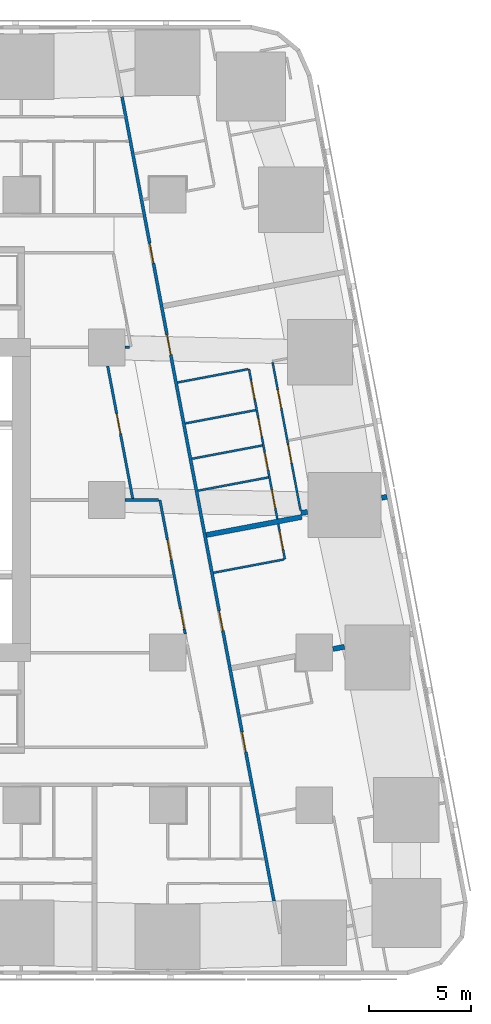
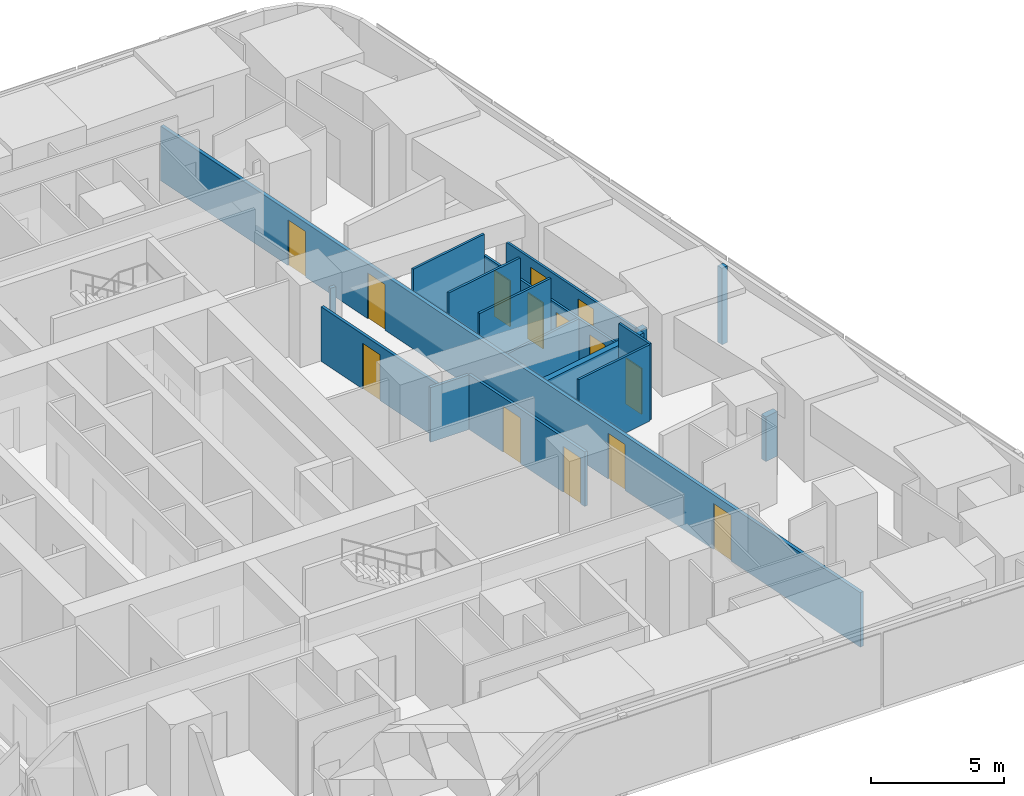
# One storey, part 10 of 18: 17 walls, 14 doors, 14 openings.
"""IFC4 building model written with IfcOpenShell, lengths in metres."""

from ifc_helpers import new_model, si_unit, direction, frame, frame_2d, origin, place, context, subcontext, project, spatial, rectangle, extrude, material, layer, layer_set, type_object, element, fill, save


model = new_model("IFC4")

# Units and contexts
model_context = context("Model", 3, precision=1e-05, world=origin(), true_north=direction((0.0, 1.0)))
body_context = subcontext(model_context, "Body", "Model", "MODEL_VIEW")
ifc_project = project(units=[si_unit("LENGTHUNIT", "METRE"), si_unit("AREAUNIT", "SQUARE_METRE"), si_unit("VOLUMEUNIT", "CUBIC_METRE"), si_unit("PLANEANGLEUNIT", "RADIAN"), si_unit("MASSUNIT", "GRAM", prefix="KILO")], contexts=[model_context])

# Site, building, storey
site_placement = place(None, origin())
site = spatial("IfcSite", under=ifc_project, at=site_placement, CompositionType="ELEMENT")
building_placement = place(site_placement, origin())
building = spatial("IfcBuilding", under=site, at=building_placement, Name="Sheger Commons Tower", CompositionType="ELEMENT")
storey_placement = place(building_placement, frame((0.0, 0.0, 20.0)))
storey = spatial("IfcBuildingStorey", under=building, at=storey_placement, Name="L04", CompositionType="ELEMENT", Elevation=20.0)

# Wall, openings, doors
ifc_material_1 = material(Name="Hollow concrete block masonry, skimmed both sides", Category="masonry")
ifc_layer_1 = layer(ifc_material_1, 0.14990234375)
ifc_layer_set_1 = layer_set([ifc_layer_1], Name="CORRIDOR WALL 150")
wall_type_1 = type_object("IfcWallType", Name="CORRIDOR WALL 150", PredefinedType="SOLIDWALL", material=ifc_layer_set_1)
wall_1_placement = place(storey_placement, frame((33.7548828125, 42.324951171875, 0.0), z_axis=(0.0, 0.0, 1.0), x_axis=(0.185611461091, -0.982623216453, 0.0)))
wall_1 = element("IfcWall", 1, at=wall_1_placement, inside=storey, type_object=wall_type_1, Name="Corridor wall L04", PredefinedType="SOLIDWALL", context=body_context, shape_type="SweptSolid", body=[
    extrude(rectangle(XDim=40.2412109375, YDim=0.14990234375, at=frame_2d((20.12060546875, 0.0))), origin(), (0.0, 0.0, 1.0), 2.5),
])
opening_1_placement = place(wall_1_placement, frame((7.324951171875, 0.0, 0.0)))
opening_1 = element("IfcOpeningElement", 2, at=opening_1_placement, cuts=wall_1, Name="Opening D1", PredefinedType="OPENING", context=body_context, shape_type="SweptSolid", body=[
    extrude(rectangle(XDim=1.0, YDim=2.10009765625, at=frame_2d((0.5, 1.050048828125))), frame((0.0, 0.0849609375, 0.0), z_axis=(0.0, -1.0, 0.0), x_axis=(1.0, 0.0, 0.0)), (0.0, 0.0, 1.0), 0.169921875),
])
opening_2_placement = place(wall_1_placement, frame((11.902099609375, 0.0, 0.0)))
opening_2 = element("IfcOpeningElement", 3, at=opening_2_placement, cuts=wall_1, Name="Opening D1", PredefinedType="OPENING", context=body_context, shape_type="SweptSolid", body=[
    extrude(rectangle(XDim=1.0, YDim=2.10009765625, at=frame_2d((0.5, 1.050048828125))), frame((0.0, 0.0849609375, 0.0), z_axis=(0.0, -1.0, 0.0), x_axis=(1.0, 0.0, 0.0)), (0.0, 0.0, 1.0), 0.169921875),
])
opening_3_placement = place(wall_1_placement, frame((25.718017578125, 0.0, 0.0)))
opening_3 = element("IfcOpeningElement", 4, at=opening_3_placement, cuts=wall_1, Name="Opening D1", PredefinedType="OPENING", context=body_context, shape_type="SweptSolid", body=[
    extrude(rectangle(XDim=1.0, YDim=2.10009765625, at=frame_2d((0.5, 1.050048828125))), frame((0.0, 0.0849609375, 0.0), z_axis=(0.0, -1.0, 0.0), x_axis=(1.0, 0.0, 0.0)), (0.0, 0.0, 1.0), 0.169921875),
])
opening_4_placement = place(wall_1_placement, frame((31.7880859375, 0.0, 0.0)))
opening_4 = element("IfcOpeningElement", 5, at=opening_4_placement, cuts=wall_1, Name="Opening D1", PredefinedType="OPENING", context=body_context, shape_type="SweptSolid", body=[
    extrude(rectangle(XDim=1.0, YDim=2.10009765625, at=frame_2d((0.5, 1.050048828125))), frame((0.0, 0.0849609375, 0.0), z_axis=(0.0, -1.0, 0.0), x_axis=(1.0, 0.0, 0.0)), (0.0, 0.0, 1.0), 0.169921875),
])
ifc_material_2 = material(Name="Steel door set, fire rated", Category="steel")
door_type_1 = type_object("IfcDoorType", Name="FLAT ENTRANCE DOOR 1000x2100", OperationType="NOTDEFINED", PredefinedType="DOOR", material=ifc_material_2)
door_1_placement = place(opening_1_placement, origin())
door_1 = element("IfcDoor", 6, at=door_1_placement, inside=storey, type_object=door_type_1, Name="Flat entrance door", OperationType="SINGLE_SWING_RIGHT", OverallHeight=2.10009765625, OverallWidth=1.0, PredefinedType="DOOR", context=body_context, shape_type="SweptSolid", body=[
    extrude(rectangle(XDim=1.0, YDim=2.10009765625, at=frame_2d((0.5, 1.050048828125))), frame((0.0, 0.02490234375, 0.0), z_axis=(0.0, -1.0, 0.0), x_axis=(1.0, 0.0, 0.0)), (0.0, 0.0, 1.0), 0.050048828125),
])
fill(opening_1, door_1)
door_2_placement = place(opening_2_placement, origin())
door_2 = element("IfcDoor", 7, at=door_2_placement, inside=storey, type_object=door_type_1, Name="Flat entrance door", OperationType="SINGLE_SWING_LEFT", OverallHeight=2.10009765625, OverallWidth=1.0, PredefinedType="DOOR", context=body_context, shape_type="SweptSolid", body=[
    extrude(rectangle(XDim=1.0, YDim=2.10009765625, at=frame_2d((0.5, 1.050048828125))), frame((0.0, 0.02490234375, 0.0), z_axis=(0.0, -1.0, 0.0), x_axis=(1.0, 0.0, 0.0)), (0.0, 0.0, 1.0), 0.050048828125),
])
fill(opening_2, door_2)
door_3_placement = place(opening_3_placement, origin())
door_3 = element("IfcDoor", 8, at=door_3_placement, inside=storey, type_object=door_type_1, Name="Flat entrance door", OperationType="SINGLE_SWING_RIGHT", OverallHeight=2.10009765625, OverallWidth=1.0, PredefinedType="DOOR", context=body_context, shape_type="SweptSolid", body=[
    extrude(rectangle(XDim=1.0, YDim=2.10009765625, at=frame_2d((0.5, 1.050048828125))), frame((0.0, 0.02490234375, 0.0), z_axis=(0.0, -1.0, 0.0), x_axis=(1.0, 0.0, 0.0)), (0.0, 0.0, 1.0), 0.050048828125),
])
fill(opening_3, door_3)
door_4_placement = place(opening_4_placement, origin())
door_4 = element("IfcDoor", 9, at=door_4_placement, inside=storey, type_object=door_type_1, Name="Flat entrance door", OperationType="SINGLE_SWING_RIGHT", OverallHeight=2.10009765625, OverallWidth=1.0, PredefinedType="DOOR", context=body_context, shape_type="SweptSolid", body=[
    extrude(rectangle(XDim=1.0, YDim=2.10009765625, at=frame_2d((0.5, 1.050048828125))), frame((0.0, 0.02490234375, 0.0), z_axis=(0.0, -1.0, 0.0), x_axis=(1.0, 0.0, 0.0)), (0.0, 0.0, 1.0), 0.050048828125),
])
fill(opening_4, door_4)

# Walls
ifc_material_3 = material(Name="Dense concrete block masonry, plastered both sides (separating wall between flats)", Category="masonry")
ifc_layer_2 = layer(ifc_material_3, 0.25)
ifc_layer_set_2 = layer_set([ifc_layer_2], Name="DEMISING WALL 250")
wall_type_2 = type_object("IfcWallType", Name="DEMISING WALL 250", PredefinedType="SOLIDWALL", material=ifc_layer_set_2)
wall_2_placement = place(storey_placement, frame((46.781982421875, 22.656982421875, 0.0), z_axis=(0.0, 0.0, 1.0), x_axis=(-0.982104607121, -0.188336243648, 0.0)))
element("IfcWall", 10, at=wall_2_placement, inside=storey, type_object=wall_type_2, Name="Demising wall L04", PredefinedType="SOLIDWALL", context=body_context, shape_type="SweptSolid", body=[
    extrude(rectangle(XDim=0.265625, YDim=0.25, at=frame_2d((0.1328125, 0.0))), origin(), (0.0, 0.0, 1.0), 3.5),
])
wall_3_placement = place(storey_placement, frame((42.873046875, 21.91796875, 0.0), z_axis=(0.0, 0.0, 1.0), x_axis=(-0.982431406936, -0.186624035603, 0.0)))
element("IfcWall", 11, at=wall_3_placement, inside=storey, type_object=wall_type_2, Name="Demising wall L04", PredefinedType="SOLIDWALL", context=body_context, shape_type="SweptSolid", body=[
    extrude(rectangle(XDim=0.32177734375, YDim=0.25, at=frame_2d((0.160888671875, 0.0))), origin(), (0.0, 0.0, 1.0), 2.5),
])
wall_4_placement = place(storey_placement, frame((42.593017578125, 21.6650390625, 0.0), z_axis=(0.0, 0.0, 1.0), x_axis=(-0.982635807605, -0.185544791394, 0.0)))
element("IfcWall", 12, at=wall_4_placement, inside=storey, type_object=wall_type_2, Name="Demising wall L04", PredefinedType="SOLIDWALL", context=body_context, shape_type="SweptSolid", body=[
    extrude(rectangle(XDim=4.775146484375, YDim=0.25, at=frame_2d((2.3876953125, 0.0))), origin(), (0.0, 0.0, 1.0), 2.5),
])
wall_5_placement = place(storey_placement, frame((44.68994140625, 15.281005859375, 0.0), z_axis=(0.0, 0.0, 1.0), x_axis=(-0.982612073204, -0.185670443513, 0.0)))
element("IfcWall", 13, at=wall_5_placement, inside=storey, type_object=wall_type_2, Name="Demising wall L04", PredefinedType="SOLIDWALL", context=body_context, shape_type="SweptSolid", body=[
    extrude(rectangle(XDim=0.575927734375, YDim=0.25, at=frame_2d((0.2880859375, 0.0))), origin(), (0.0, 0.0, 1.0), 2.050048828125),
])

# Wall, openings, doors
ifc_material_4 = material(Name="Gypsum board on steel studs", Category="steel")
ifc_layer_3 = layer(ifc_material_4, 0.10009765625)
ifc_layer_set_3 = layer_set([ifc_layer_3], Name="PARTITION 100")
wall_type_3 = type_object("IfcWallType", Name="PARTITION 100", PredefinedType="PARTITIONING", material=ifc_layer_set_3)
wall_6_placement = place(storey_placement, frame((41.156982421875, 29.27294921875, 0.0), z_axis=(0.0, 0.0, 1.0), x_axis=(0.18542464283, -0.982658486877, 0.0)))
wall_6 = element("IfcWall", 14, at=wall_6_placement, inside=storey, type_object=wall_type_3, Name="Partition L04", PredefinedType="PARTITIONING", context=body_context, shape_type="SweptSolid", body=[
    extrude(rectangle(XDim=7.420654296875, YDim=0.10009765625, at=frame_2d((3.71044921875, 0.0))), origin(), (0.0, 0.0, 1.0), 2.5),
])
opening_5_placement = place(wall_6_placement, frame((1.39990234375, 0.0, 0.0)))
opening_5 = element("IfcOpeningElement", 15, at=opening_5_placement, cuts=wall_6, Name="Opening D2", PredefinedType="OPENING", context=body_context, shape_type="SweptSolid", body=[
    extrude(rectangle(XDim=0.89990234375, YDim=2.10009765625, at=frame_2d((0.449951171875, 1.050048828125))), frame((0.0, 0.06005859375, 0.0), z_axis=(0.0, -1.0, 0.0), x_axis=(1.0, 0.0, 0.0)), (0.0, 0.0, 1.0), 0.1201171875),
])
opening_6_placement = place(wall_6_placement, frame((4.1259765625, 0.0, 0.0)))
opening_6 = element("IfcOpeningElement", 16, at=opening_6_placement, cuts=wall_6, Name="Opening D2", PredefinedType="OPENING", context=body_context, shape_type="SweptSolid", body=[
    extrude(rectangle(XDim=0.89990234375, YDim=2.10009765625, at=frame_2d((0.449951171875, 1.050048828125))), frame((0.0, 0.06005859375, 0.0), z_axis=(0.0, -1.0, 0.0), x_axis=(1.0, 0.0, 0.0)), (0.0, 0.0, 1.0), 0.1201171875),
])
ifc_material_5 = material(Name="Timber door set", Category="wood")
door_type_2 = type_object("IfcDoorType", Name="INTERNAL DOOR 900x2100", OperationType="NOTDEFINED", PredefinedType="DOOR", material=ifc_material_5)
door_5_placement = place(opening_5_placement, origin())
door_5 = element("IfcDoor", 17, at=door_5_placement, inside=storey, type_object=door_type_2, Name="Main bedroom door", OperationType="SINGLE_SWING_LEFT", OverallHeight=2.10009765625, OverallWidth=0.89990234375, PredefinedType="DOOR", context=body_context, shape_type="SweptSolid", body=[
    extrude(rectangle(XDim=0.89990234375, YDim=2.10009765625, at=frame_2d((0.449951171875, 1.050048828125))), frame((0.0, 0.02490234375, 0.0), z_axis=(0.0, -1.0, 0.0), x_axis=(1.0, 0.0, 0.0)), (0.0, 0.0, 1.0), 0.050048828125),
])
fill(opening_5, door_5)
door_6_placement = place(opening_6_placement, origin())
door_6 = element("IfcDoor", 18, at=door_6_placement, inside=storey, type_object=door_type_2, Name="Bedroom 2 door", OperationType="SINGLE_SWING_LEFT", OverallHeight=2.10009765625, OverallWidth=0.89990234375, PredefinedType="DOOR", context=body_context, shape_type="SweptSolid", body=[
    extrude(rectangle(XDim=0.89990234375, YDim=2.10009765625, at=frame_2d((0.449951171875, 1.050048828125))), frame((0.0, 0.02490234375, 0.0), z_axis=(0.0, -1.0, 0.0), x_axis=(1.0, 0.0, 0.0)), (0.0, 0.0, 1.0), 0.050048828125),
])
fill(opening_6, door_6)

wall_7_placement = place(storey_placement, frame((39.9970703125, 28.94189453125, 0.0), z_axis=(0.0, 0.0, 1.0), x_axis=(0.185686318797, -0.982609073341, 0.0)))
wall_7 = element("IfcWall", 19, at=wall_7_placement, inside=storey, type_object=wall_type_3, Name="Partition L04", PredefinedType="PARTITIONING", context=body_context, shape_type="SweptSolid", body=[
    extrude(rectangle(XDim=7.507568359375, YDim=0.10009765625, at=frame_2d((3.75390625, 0.0))), origin(), (0.0, 0.0, 1.0), 2.5),
])
opening_7_placement = place(wall_7_placement, frame((0.575927734375, 0.0, 0.0)))
opening_7 = element("IfcOpeningElement", 20, at=opening_7_placement, cuts=wall_7, Name="Opening D2", PredefinedType="OPENING", context=body_context, shape_type="SweptSolid", body=[
    extrude(rectangle(XDim=0.89990234375, YDim=2.10009765625, at=frame_2d((0.449951171875, 1.050048828125))), frame((0.0, 0.06005859375, 0.0), z_axis=(0.0, -1.0, 0.0), x_axis=(1.0, 0.0, 0.0)), (0.0, 0.0, 1.0), 0.1201171875),
])
opening_8_placement = place(wall_7_placement, frame((4.166015625, 0.0, 0.0)))
opening_8 = element("IfcOpeningElement", 21, at=opening_8_placement, cuts=wall_7, Name="Opening D2", PredefinedType="OPENING", context=body_context, shape_type="SweptSolid", body=[
    extrude(rectangle(XDim=0.89990234375, YDim=2.10009765625, at=frame_2d((0.449951171875, 1.050048828125))), frame((0.0, 0.06005859375, 0.0), z_axis=(0.0, -1.0, 0.0), x_axis=(1.0, 0.0, 0.0)), (0.0, 0.0, 1.0), 0.1201171875),
])
opening_9_placement = place(wall_7_placement, frame((2.48291015625, 0.0, 0.0)))
opening_9 = element("IfcOpeningElement", 22, at=opening_9_placement, cuts=wall_7, Name="Opening D2", PredefinedType="OPENING", context=body_context, shape_type="SweptSolid", body=[
    extrude(rectangle(XDim=0.89990234375, YDim=2.10009765625, at=frame_2d((0.449951171875, 1.050048828125))), frame((0.0, 0.06005859375, 0.0), z_axis=(0.0, -1.0, 0.0), x_axis=(1.0, 0.0, 0.0)), (0.0, 0.0, 1.0), 0.1201171875),
])
opening_10_placement = place(wall_7_placement, frame((6.073974609375, 0.0, 0.0)))
opening_10 = element("IfcOpeningElement", 23, at=opening_10_placement, cuts=wall_7, Name="Opening D2", PredefinedType="OPENING", context=body_context, shape_type="SweptSolid", body=[
    extrude(rectangle(XDim=0.89990234375, YDim=2.10009765625, at=frame_2d((0.449951171875, 1.050048828125))), frame((0.0, 0.06005859375, 0.0), z_axis=(0.0, -1.0, 0.0), x_axis=(1.0, 0.0, 0.0)), (0.0, 0.0, 1.0), 0.1201171875),
])
door_7_placement = place(opening_7_placement, origin())
door_7 = element("IfcDoor", 24, at=door_7_placement, inside=storey, type_object=door_type_2, Name="Bathroom door", OperationType="SINGLE_SWING_RIGHT", OverallHeight=2.10009765625, OverallWidth=0.89990234375, PredefinedType="DOOR", context=body_context, shape_type="SweptSolid", body=[
    extrude(rectangle(XDim=0.89990234375, YDim=2.10009765625, at=frame_2d((0.449951171875, 1.050048828125))), frame((0.0, 0.02490234375, 0.0), z_axis=(0.0, -1.0, 0.0), x_axis=(1.0, 0.0, 0.0)), (0.0, 0.0, 1.0), 0.050048828125),
])
fill(opening_7, door_7)
door_8_placement = place(opening_8_placement, origin())
door_8 = element("IfcDoor", 25, at=door_8_placement, inside=storey, type_object=door_type_2, Name="Shower room door", OperationType="SINGLE_SWING_LEFT", OverallHeight=2.10009765625, OverallWidth=0.89990234375, PredefinedType="DOOR", context=body_context, shape_type="SweptSolid", body=[
    extrude(rectangle(XDim=0.89990234375, YDim=2.10009765625, at=frame_2d((0.449951171875, 1.050048828125))), frame((0.0, 0.02490234375, 0.0), z_axis=(0.0, -1.0, 0.0), x_axis=(1.0, 0.0, 0.0)), (0.0, 0.0, 1.0), 0.050048828125),
])
fill(opening_8, door_8)
door_9_placement = place(opening_9_placement, origin())
door_9 = element("IfcDoor", 26, at=door_9_placement, inside=storey, type_object=door_type_2, Name="Store door", OperationType="SINGLE_SWING_LEFT", OverallHeight=2.10009765625, OverallWidth=0.89990234375, PredefinedType="DOOR", context=body_context, shape_type="SweptSolid", body=[
    extrude(rectangle(XDim=0.89990234375, YDim=2.10009765625, at=frame_2d((0.449951171875, 1.050048828125))), frame((0.0, 0.02490234375, 0.0), z_axis=(0.0, -1.0, 0.0), x_axis=(1.0, 0.0, 0.0)), (0.0, 0.0, 1.0), 0.050048828125),
])
fill(opening_9, door_9)
door_10_placement = place(opening_10_placement, origin())
door_10 = element("IfcDoor", 27, at=door_10_placement, inside=storey, type_object=door_type_2, Name="Store door", OperationType="SINGLE_SWING_LEFT", OverallHeight=2.10009765625, OverallWidth=0.89990234375, PredefinedType="DOOR", context=body_context, shape_type="SweptSolid", body=[
    extrude(rectangle(XDim=0.89990234375, YDim=2.10009765625, at=frame_2d((0.449951171875, 1.050048828125))), frame((0.0, 0.02490234375, 0.0), z_axis=(0.0, -1.0, 0.0), x_axis=(1.0, 0.0, 0.0)), (0.0, 0.0, 1.0), 0.050048828125),
])
fill(opening_10, door_10)

# Walls
for number, where, z_axis, x_axis, name in (
    (28, (39.947998046875, 28.93310546875, 0.0), (0.0, 0.0, 1.0), (-0.982576058723, -0.185860939478, 0.0), "Partition L04"),
    (29, (40.656005859375, 25.18310546875, 0.0), (0.0, 0.0, 1.0), (-0.982576058723, -0.185860939478, 0.0), "Partition L04"),
):
    element("IfcWall", number, at=place(storey_placement, frame(where, z_axis=z_axis, x_axis=x_axis)), inside=storey, type_object=wall_type_3, Name=name, PredefinedType="PARTITIONING", context=body_context, shape_type="SweptSolid", body=[
        extrude(rectangle(XDim=3.5244140625, YDim=0.10009765625, at=frame_2d((1.76220703125, 0.0))), origin(), (0.0, 0.0, 1.0), 3.5),
    ])
wall_8_placement = place(storey_placement, frame((40.3291015625, 26.91796875, 0.0), z_axis=(0.0, 0.0, 1.0), x_axis=(-0.982638553676, -0.185530247748, 0.0)))
element("IfcWall", 30, at=wall_8_placement, inside=storey, type_object=wall_type_3, Name="Partition L04", PredefinedType="PARTITIONING", context=body_context, shape_type="SweptSolid", body=[
    extrude(rectangle(XDim=3.525390625, YDim=0.10009765625, at=frame_2d((1.7626953125, 0.0))), origin(), (0.0, 0.0, 1.0), 3.5),
])
wall_9_placement = place(storey_placement, frame((40.9541015625, 23.610107421875, 0.0), z_axis=(0.0, 0.0, 1.0), x_axis=(-0.982638553676, -0.185530247748, 0.0)))
element("IfcWall", 31, at=wall_9_placement, inside=storey, type_object=wall_type_3, Name="Partition L04", PredefinedType="PARTITIONING", context=body_context, shape_type="SweptSolid", body=[
    extrude(rectangle(XDim=3.525390625, YDim=0.10009765625, at=frame_2d((1.7626953125, 0.0))), origin(), (0.0, 0.0, 1.0), 2.5),
])

# Wall, opening, door
wall_10_placement = place(storey_placement, frame((41.43701171875, 21.319091796875, 0.0), z_axis=(0.0, 0.0, 1.0), x_axis=(0.185783379659, -0.98259072652, 0.0)))
wall_10 = element("IfcWall", 32, at=wall_10_placement, inside=storey, type_object=wall_type_3, Name="Partition L04", PredefinedType="PARTITIONING", context=body_context, shape_type="SweptSolid", body=[
    extrude(rectangle(XDim=1.764892578125, YDim=0.10009765625, at=frame_2d((0.88232421875, 0.0))), origin(), (0.0, 0.0, 1.0), 3.5),
])
opening_11_placement = place(wall_10_placement, frame((0.3740234375, 0.0, 0.0)))
opening_11 = element("IfcOpeningElement", 33, at=opening_11_placement, cuts=wall_10, Name="Opening D2", PredefinedType="OPENING", context=body_context, shape_type="SweptSolid", body=[
    extrude(rectangle(XDim=0.89990234375, YDim=2.10009765625, at=frame_2d((0.449951171875, 1.050048828125))), frame((0.0, 0.06005859375, 0.0), z_axis=(0.0, -1.0, 0.0), x_axis=(1.0, 0.0, 0.0)), (0.0, 0.0, 1.0), 0.1201171875),
])
door_11_placement = place(opening_11_placement, origin())
door_11 = element("IfcDoor", 34, at=door_11_placement, inside=storey, type_object=door_type_2, Name="Shower room door", OperationType="SINGLE_SWING_RIGHT", OverallHeight=2.10009765625, OverallWidth=0.89990234375, PredefinedType="DOOR", context=body_context, shape_type="SweptSolid", body=[
    extrude(rectangle(XDim=0.89990234375, YDim=2.10009765625, at=frame_2d((0.449951171875, 1.050048828125))), frame((0.0, 0.02490234375, 0.0), z_axis=(0.0, -1.0, 0.0), x_axis=(1.0, 0.0, 0.0)), (0.0, 0.0, 1.0), 0.050048828125),
])
fill(opening_11, door_11)

# Wall
wall_11_placement = place(storey_placement, frame((41.716064453125, 19.575927734375, 0.0), z_axis=(0.0, 0.0, 1.0), x_axis=(-0.982588017646, -0.185797706064, 0.0)))
element("IfcWall", 35, at=wall_11_placement, inside=storey, type_object=wall_type_3, Name="Partition L04", PredefinedType="PARTITIONING", context=body_context, shape_type="SweptSolid", body=[
    extrude(rectangle(XDim=3.525390625, YDim=0.10009765625, at=frame_2d((1.7626953125, 0.0))), origin(), (0.0, 0.0, 1.0), 3.5),
])

# Wall, openings, doors
ifc_material_6 = material(Name="Gypsum board on steel studs, two layers each side, fire rated", Category="steel")
ifc_layer_4 = layer(ifc_material_6, 0.125)
ifc_layer_set_4 = layer_set([ifc_layer_4], Name="SERVICE WALL 125")
wall_type_4 = type_object("IfcWallType", Name="SERVICE WALL 125", PredefinedType="PARTITIONING", material=ifc_layer_set_4)
wall_12_placement = place(storey_placement, frame((36.861083984375, 15.9130859375, 0.0), z_axis=(0.0, 0.0, 1.0), x_axis=(-0.185598960122, 0.982625577726, 0.0)))
wall_12 = element("IfcWall", 36, at=wall_12_placement, inside=storey, type_object=wall_type_4, Name="Service room wall L04", PredefinedType="PARTITIONING", context=body_context, shape_type="SweptSolid", body=[
    extrude(rectangle(XDim=6.703369140625, YDim=0.125, at=frame_2d((3.3515625, 0.0))), origin(), (0.0, 0.0, 1.0), 2.5),
])
opening_12_placement = place(wall_12_placement, frame((0.25, 0.0, 0.0)))
opening_12 = element("IfcOpeningElement", 37, at=opening_12_placement, cuts=wall_12, Name="Opening D4", PredefinedType="OPENING", context=body_context, shape_type="SweptSolid", body=[
    extrude(rectangle(XDim=1.0, YDim=2.10009765625, at=frame_2d((0.5, 1.050048828125))), frame((0.0, 0.072509765625, 0.0), z_axis=(0.0, -1.0, 0.0), x_axis=(1.0, 0.0, 0.0)), (0.0, 0.0, 1.0), 0.14501953125),
])
opening_13_placement = place(wall_12_placement, frame((3.7099609375, 0.0, 0.0)))
opening_13 = element("IfcOpeningElement", 38, at=opening_13_placement, cuts=wall_12, Name="Opening D4", PredefinedType="OPENING", context=body_context, shape_type="SweptSolid", body=[
    extrude(rectangle(XDim=1.0, YDim=2.10009765625, at=frame_2d((0.5, 1.050048828125))), frame((0.0, 0.072509765625, 0.0), z_axis=(0.0, -1.0, 0.0), x_axis=(1.0, 0.0, 0.0)), (0.0, 0.0, 1.0), 0.14501953125),
])
ifc_material_7 = material(Name="Steel door set, fire rated", Category="steel")
door_type_3 = type_object("IfcDoorType", Name="SERVICE DOOR 1000x2100", OperationType="NOTDEFINED", PredefinedType="DOOR", material=ifc_material_7)
door_12_placement = place(opening_12_placement, origin())
door_12 = element("IfcDoor", 39, at=door_12_placement, inside=storey, type_object=door_type_3, Name="Residents' hobby room door", OperationType="SINGLE_SWING_LEFT", OverallHeight=2.10009765625, OverallWidth=1.0, PredefinedType="DOOR", context=body_context, shape_type="SweptSolid", body=[
    extrude(rectangle(XDim=1.0, YDim=2.10009765625, at=frame_2d((0.5, 1.050048828125))), frame((0.0, 0.02490234375, 0.0), z_axis=(0.0, -1.0, 0.0), x_axis=(1.0, 0.0, 0.0)), (0.0, 0.0, 1.0), 0.050048828125),
])
fill(opening_12, door_12)
door_13_placement = place(opening_13_placement, origin())
door_13 = element("IfcDoor", 40, at=door_13_placement, inside=storey, type_object=door_type_3, Name="Bicycle and pram store door", OperationType="SINGLE_SWING_LEFT", OverallHeight=2.10009765625, OverallWidth=1.0, PredefinedType="DOOR", context=body_context, shape_type="SweptSolid", body=[
    extrude(rectangle(XDim=1.0, YDim=2.10009765625, at=frame_2d((0.5, 1.050048828125))), frame((0.0, 0.02490234375, 0.0), z_axis=(0.0, -1.0, 0.0), x_axis=(1.0, 0.0, 0.0)), (0.0, 0.0, 1.0), 0.050048828125),
])
fill(opening_13, door_13)

# Wall, opening, door
wall_13_placement = place(storey_placement, frame((34.280029296875, 22.573974609375, 0.0), z_axis=(0.0, 0.0, 1.0), x_axis=(-0.185713862218, 0.982603867986, 0.0)))
wall_13 = element("IfcWall", 41, at=wall_13_placement, inside=storey, type_object=wall_type_4, Name="Service room wall L04", PredefinedType="PARTITIONING", context=body_context, shape_type="SweptSolid", body=[
    extrude(rectangle(XDim=6.628173828125, YDim=0.125, at=frame_2d((3.31396484375, 0.0))), origin(), (0.0, 0.0, 1.0), 2.5),
])
opening_14_placement = place(wall_13_placement, frame((3.240966796875, 0.0, 0.0)))
opening_14 = element("IfcOpeningElement", 42, at=opening_14_placement, cuts=wall_13, Name="Opening D4", PredefinedType="OPENING", context=body_context, shape_type="SweptSolid", body=[
    extrude(rectangle(XDim=1.0, YDim=2.10009765625, at=frame_2d((0.5, 1.050048828125))), frame((0.0, 0.072509765625, 0.0), z_axis=(0.0, -1.0, 0.0), x_axis=(1.0, 0.0, 0.0)), (0.0, 0.0, 1.0), 0.14501953125),
])
door_14_placement = place(opening_14_placement, origin())
door_14 = element("IfcDoor", 43, at=door_14_placement, inside=storey, type_object=door_type_3, Name="Residents' lounge door", OperationType="SINGLE_SWING_RIGHT", OverallHeight=2.10009765625, OverallWidth=1.0, PredefinedType="DOOR", context=body_context, shape_type="SweptSolid", body=[
    extrude(rectangle(XDim=1.0, YDim=2.10009765625, at=frame_2d((0.5, 1.050048828125))), frame((0.0, 0.02490234375, 0.0), z_axis=(0.0, -1.0, 0.0), x_axis=(1.0, 0.0, 0.0)), (0.0, 0.0, 1.0), 0.050048828125),
])
fill(opening_14, door_14)

# Walls
wall_14_placement = place(storey_placement, frame((33.90087890625, 22.5, 0.0), z_axis=(0.0, 0.0, 1.0), x_axis=(1.0, 0.0, 0.0)))
element("IfcWall", 44, at=wall_14_placement, inside=storey, type_object=wall_type_4, Name="Service room wall L04", PredefinedType="PARTITIONING", context=body_context, shape_type="SweptSolid", body=[
    extrude(rectangle(XDim=1.655029296875, YDim=0.125, at=frame_2d((0.82763671875, 0.0))), origin(), (0.0, 0.0, 1.0), 2.5),
])
wall_15_placement = place(storey_placement, frame((33.90087890625, 30.0, 0.0), z_axis=(0.0, 0.0, 1.0), x_axis=(1.0, 0.0, 0.0)))
element("IfcWall", 45, at=wall_15_placement, inside=storey, type_object=wall_type_4, Name="Service room wall L04", PredefinedType="PARTITIONING", context=body_context, shape_type="SweptSolid", body=[
    extrude(rectangle(XDim=0.22412109375, YDim=0.125, at=frame_2d((0.112060546875, 0.0))), origin(), (0.0, 0.0, 1.0), 2.5),
])

save(model, "model.ifc")
